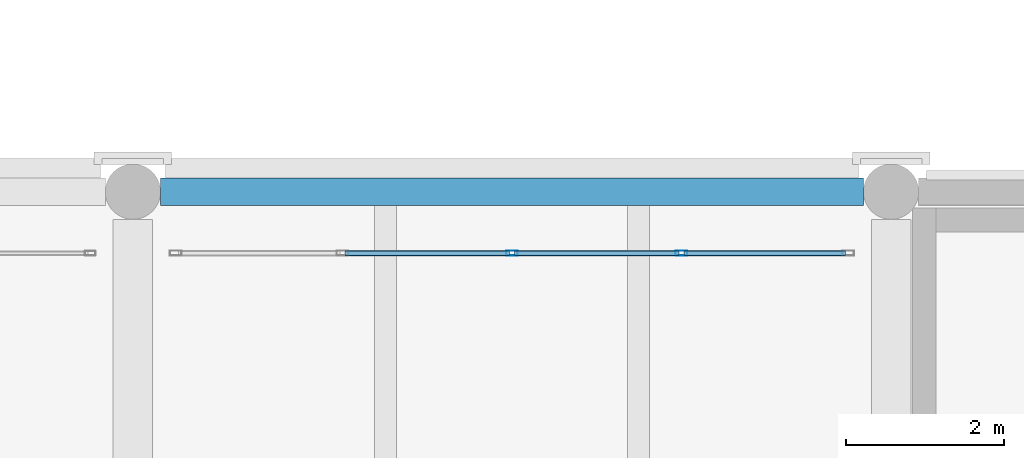
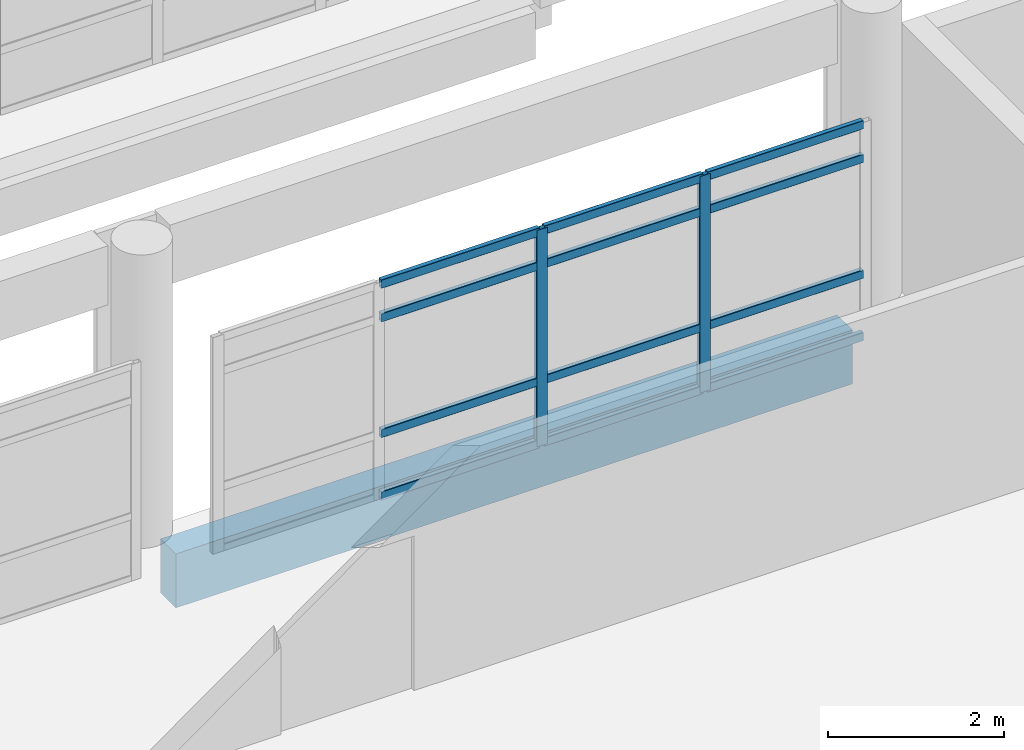
# One storey, part 29 of 180: 14 members, 1 beam, 1 element without a shape of its own.
"""IFC4 building model written with IfcOpenShell, lengths in metres."""

from ifc_helpers import new_model, si_unit, direction, frame, origin, origin_2d, place, context, subcontext, project, spatial, rectangle, hollow_rectangle, extrude, material, layer, layer_set, material_profile, profile_set, type_object, element, aggregate, save


model = new_model("IFC4")

# Units and contexts
model_context = context("Model", 3, precision=1e-05, world=origin(), true_north=direction((0.0, 1.0)))
body_context = subcontext(model_context, "Body", "Model", "MODEL_VIEW")
ifc_project = project(units=[si_unit("LENGTHUNIT", "METRE"), si_unit("AREAUNIT", "SQUARE_METRE"), si_unit("VOLUMEUNIT", "CUBIC_METRE"), si_unit("PLANEANGLEUNIT", "RADIAN"), si_unit("MASSUNIT", "GRAM", prefix="KILO")], contexts=[model_context])

# Site, building, storey
site_placement = place(None, origin())
site = spatial("IfcSite", under=ifc_project, at=site_placement, CompositionType="ELEMENT")
building_placement = place(site_placement, origin())
building = spatial("IfcBuilding", under=site, at=building_placement, Name="Asteropetra Specialist Clinic", CompositionType="ELEMENT")
storey_placement = place(building_placement, frame((0.0, 0.0, 4.419921875)))
storey = spatial("IfcBuildingStorey", under=building, at=storey_placement, Name="L01", CompositionType="ELEMENT", Elevation=4.419921875)

# Curtain wall, members
ifc_material_1 = material(Name="Aluminium and low-E glass", Category="aluminium")
ifc_layer = layer(ifc_material_1, 0.14990234375)
ifc_layer_set = layer_set([ifc_layer], Name="Aluminium and low-E glass")
curtain_wall_type = type_object("IfcCurtainWallType", Name="CW-SYS-11", PredefinedType="USERDEFINED", material=ifc_layer_set)
curtain_wall_placement = place(storey_placement, origin())
curtain_wall = element("IfcCurtainWall", 1, at=curtain_wall_placement, inside=storey, type_object=curtain_wall_type, Name="Curtain Wall CW-139", ObjectType="STICK GLAZED COLONNADE", PredefinedType="USERDEFINED")
ifc_material_2 = material(Name="Aluminium 6063-T6", Category="aluminium")
ifc_material_profile_1 = material_profile(ifc_material_2, hollow_rectangle(XDim=0.06494140625, YDim=0.14990234375, WallThickness=0.00390625, InnerFilletRadius=0.00390625, OuterFilletRadius=0.008056640625, at=origin_2d()), Name="MUL 150x65x4.0")
ifc_profile_set_1 = profile_set([ifc_material_profile_1], Name="Aluminium 6063-T6")
member_type_1 = type_object("IfcMemberType", Name="CWM-150x65", PredefinedType="MULLION", material=ifc_profile_set_1)
member_1_placement = place(storey_placement, frame((45.344970703125, 25.6201171875, 0.0), z_axis=(0.0, 0.0, 1.0), x_axis=(0.0, -1.0, 0.0)))
member_1 = element("IfcMember", 2, at=member_1_placement, type_object=member_type_1, Name="CW-139 mullion 2", PredefinedType="MULLION", context=body_context, shape_type="SweptSolid", body=[
    extrude(hollow_rectangle(XDim=0.06494140625, YDim=0.14990234375, WallThickness=0.00390625, InnerFilletRadius=0.00390625, OuterFilletRadius=0.008056640625, at=origin_2d()), origin(), (0.0, 0.0, 1.0), 3.010009765625),
])
member_2_placement = place(storey_placement, frame((43.199951171875, 25.6201171875, 0.0), z_axis=(0.0, 0.0, 1.0), x_axis=(0.0, -1.0, 0.0)))
member_2 = element("IfcMember", 3, at=member_2_placement, type_object=member_type_1, Name="CW-139 mullion 3", PredefinedType="MULLION", context=body_context, shape_type="SweptSolid", body=[
    extrude(hollow_rectangle(XDim=0.06494140625, YDim=0.14990234375, WallThickness=0.00390625, InnerFilletRadius=0.00390625, OuterFilletRadius=0.008056640625, at=origin_2d()), origin(), (0.0, 0.0, 1.0), 3.010009765625),
])
ifc_material_3 = material(Name="Aluminium 6063-T6", Category="aluminium")
ifc_material_profile_2 = material_profile(ifc_material_3, hollow_rectangle(XDim=0.06494140625, YDim=0.1201171875, WallThickness=0.00390625, InnerFilletRadius=0.00390625, OuterFilletRadius=0.008056640625, at=origin_2d()), Name="TRN 120x65x4.0")
ifc_profile_set_2 = profile_set([ifc_material_profile_2], Name="Aluminium 6063-T6")
member_type_2 = type_object("IfcMemberType", Name="CWT-120x65", PredefinedType="USERDEFINED", material=ifc_profile_set_2)
member_3_placement = place(storey_placement, frame((47.425048828125, 25.6201171875, 0.032470703125), z_axis=(-1.0, 0.0, 0.0), x_axis=(0.0, -1.0, 0.0)))
member_3 = element("IfcMember", 4, at=member_3_placement, type_object=member_type_2, Name="CW-139 transom 1.1", ObjectType="TRANSOM", PredefinedType="USERDEFINED", context=body_context, shape_type="SweptSolid", body=[
    extrude(hollow_rectangle(XDim=0.06494140625, YDim=0.1201171875, WallThickness=0.00390625, InnerFilletRadius=0.00390625, OuterFilletRadius=0.008056640625, at=origin_2d()), origin(), (0.0, 0.0, 1.0), 2.047607421875),
])
member_4_placement = place(storey_placement, frame((47.425048828125, 25.6201171875, 0.900146484375), z_axis=(-1.0, 0.0, 0.0), x_axis=(0.0, -1.0, 0.0)))
member_4 = element("IfcMember", 5, at=member_4_placement, type_object=member_type_2, Name="CW-139 transom 1.2", ObjectType="TRANSOM", PredefinedType="USERDEFINED", context=body_context, shape_type="SweptSolid", body=[
    extrude(hollow_rectangle(XDim=0.06494140625, YDim=0.1201171875, WallThickness=0.00390625, InnerFilletRadius=0.00390625, OuterFilletRadius=0.008056640625, at=origin_2d()), origin(), (0.0, 0.0, 1.0), 2.047607421875),
])
member_5_placement = place(storey_placement, frame((47.425048828125, 25.6201171875, 2.510009765625), z_axis=(-1.0, 0.0, 0.0), x_axis=(0.0, -1.0, 0.0)))
member_5 = element("IfcMember", 6, at=member_5_placement, type_object=member_type_2, Name="CW-139 transom 1.3", ObjectType="TRANSOM", PredefinedType="USERDEFINED", context=body_context, shape_type="SweptSolid", body=[
    extrude(hollow_rectangle(XDim=0.06494140625, YDim=0.1201171875, WallThickness=0.00390625, InnerFilletRadius=0.00390625, OuterFilletRadius=0.008056640625, at=origin_2d()), origin(), (0.0, 0.0, 1.0), 2.047607421875),
])
member_6_placement = place(storey_placement, frame((47.425048828125, 25.6201171875, 2.9775390625), z_axis=(-1.0, 0.0, 0.0), x_axis=(0.0, -1.0, 0.0)))
member_6 = element("IfcMember", 7, at=member_6_placement, type_object=member_type_2, Name="CW-139 transom 1.4", ObjectType="TRANSOM", PredefinedType="USERDEFINED", context=body_context, shape_type="SweptSolid", body=[
    extrude(hollow_rectangle(XDim=0.06494140625, YDim=0.1201171875, WallThickness=0.00390625, InnerFilletRadius=0.00390625, OuterFilletRadius=0.008056640625, at=origin_2d()), origin(), (0.0, 0.0, 1.0), 2.047607421875),
])
member_7_placement = place(storey_placement, frame((45.3125, 25.6201171875, 0.032470703125), z_axis=(-1.0, 0.0, 0.0), x_axis=(0.0, -1.0, 0.0)))
member_7 = element("IfcMember", 8, at=member_7_placement, type_object=member_type_2, Name="CW-139 transom 2.1", ObjectType="TRANSOM", PredefinedType="USERDEFINED", context=body_context, shape_type="SweptSolid", body=[
    extrude(hollow_rectangle(XDim=0.06494140625, YDim=0.1201171875, WallThickness=0.00390625, InnerFilletRadius=0.00390625, OuterFilletRadius=0.008056640625, at=origin_2d()), origin(), (0.0, 0.0, 1.0), 2.080078125),
])
member_8_placement = place(storey_placement, frame((45.3125, 25.6201171875, 0.900146484375), z_axis=(-1.0, 0.0, 0.0), x_axis=(0.0, -1.0, 0.0)))
member_8 = element("IfcMember", 9, at=member_8_placement, type_object=member_type_2, Name="CW-139 transom 2.2", ObjectType="TRANSOM", PredefinedType="USERDEFINED", context=body_context, shape_type="SweptSolid", body=[
    extrude(hollow_rectangle(XDim=0.06494140625, YDim=0.1201171875, WallThickness=0.00390625, InnerFilletRadius=0.00390625, OuterFilletRadius=0.008056640625, at=origin_2d()), origin(), (0.0, 0.0, 1.0), 2.080078125),
])
member_9_placement = place(storey_placement, frame((45.3125, 25.6201171875, 2.510009765625), z_axis=(-1.0, 0.0, 0.0), x_axis=(0.0, -1.0, 0.0)))
member_9 = element("IfcMember", 10, at=member_9_placement, type_object=member_type_2, Name="CW-139 transom 2.3", ObjectType="TRANSOM", PredefinedType="USERDEFINED", context=body_context, shape_type="SweptSolid", body=[
    extrude(hollow_rectangle(XDim=0.06494140625, YDim=0.1201171875, WallThickness=0.00390625, InnerFilletRadius=0.00390625, OuterFilletRadius=0.008056640625, at=origin_2d()), origin(), (0.0, 0.0, 1.0), 2.080078125),
])
member_10_placement = place(storey_placement, frame((45.3125, 25.6201171875, 2.9775390625), z_axis=(-1.0, 0.0, 0.0), x_axis=(0.0, -1.0, 0.0)))
member_10 = element("IfcMember", 11, at=member_10_placement, type_object=member_type_2, Name="CW-139 transom 2.4", ObjectType="TRANSOM", PredefinedType="USERDEFINED", context=body_context, shape_type="SweptSolid", body=[
    extrude(hollow_rectangle(XDim=0.06494140625, YDim=0.1201171875, WallThickness=0.00390625, InnerFilletRadius=0.00390625, OuterFilletRadius=0.008056640625, at=origin_2d()), origin(), (0.0, 0.0, 1.0), 2.080078125),
])
member_11_placement = place(storey_placement, frame((43.16748046875, 25.6201171875, 0.032470703125), z_axis=(-1.0, 0.0, 0.0), x_axis=(0.0, -1.0, 0.0)))
member_11 = element("IfcMember", 12, at=member_11_placement, type_object=member_type_2, Name="CW-139 transom 3.1", ObjectType="TRANSOM", PredefinedType="USERDEFINED", context=body_context, shape_type="SweptSolid", body=[
    extrude(hollow_rectangle(XDim=0.06494140625, YDim=0.1201171875, WallThickness=0.00390625, InnerFilletRadius=0.00390625, OuterFilletRadius=0.008056640625, at=origin_2d()), origin(), (0.0, 0.0, 1.0), 2.080078125),
])
member_12_placement = place(storey_placement, frame((43.16748046875, 25.6201171875, 0.900146484375), z_axis=(-1.0, 0.0, 0.0), x_axis=(0.0, -1.0, 0.0)))
member_12 = element("IfcMember", 13, at=member_12_placement, type_object=member_type_2, Name="CW-139 transom 3.2", ObjectType="TRANSOM", PredefinedType="USERDEFINED", context=body_context, shape_type="SweptSolid", body=[
    extrude(hollow_rectangle(XDim=0.06494140625, YDim=0.1201171875, WallThickness=0.00390625, InnerFilletRadius=0.00390625, OuterFilletRadius=0.008056640625, at=origin_2d()), origin(), (0.0, 0.0, 1.0), 2.080078125),
])
member_13_placement = place(storey_placement, frame((43.16748046875, 25.6201171875, 2.510009765625), z_axis=(-1.0, 0.0, 0.0), x_axis=(0.0, -1.0, 0.0)))
member_13 = element("IfcMember", 14, at=member_13_placement, type_object=member_type_2, Name="CW-139 transom 3.3", ObjectType="TRANSOM", PredefinedType="USERDEFINED", context=body_context, shape_type="SweptSolid", body=[
    extrude(hollow_rectangle(XDim=0.06494140625, YDim=0.1201171875, WallThickness=0.00390625, InnerFilletRadius=0.00390625, OuterFilletRadius=0.008056640625, at=origin_2d()), origin(), (0.0, 0.0, 1.0), 2.080078125),
])
member_14_placement = place(storey_placement, frame((43.16748046875, 25.6201171875, 2.9775390625), z_axis=(-1.0, 0.0, 0.0), x_axis=(0.0, -1.0, 0.0)))
member_14 = element("IfcMember", 15, at=member_14_placement, type_object=member_type_2, Name="CW-139 transom 3.4", ObjectType="TRANSOM", PredefinedType="USERDEFINED", context=body_context, shape_type="SweptSolid", body=[
    extrude(hollow_rectangle(XDim=0.06494140625, YDim=0.1201171875, WallThickness=0.00390625, InnerFilletRadius=0.00390625, OuterFilletRadius=0.008056640625, at=origin_2d()), origin(), (0.0, 0.0, 1.0), 2.080078125),
])
aggregate(curtain_wall, [member_1, member_2, member_3, member_4, member_5, member_6, member_7, member_8, member_9, member_10, member_11, member_12, member_13, member_14])

# Beam
ifc_material_4 = material(Name="Concrete C35/45", Category="concrete")
ifc_material_profile_3 = material_profile(ifc_material_4, rectangle(XDim=0.35009765625, YDim=0.75, at=origin_2d()), Name="RCS 350x750")
ifc_profile_set_3 = profile_set([ifc_material_profile_3], Name="Concrete C35/45")
beam_type = type_object("IfcBeamType", Name="SPN-RC350x750", PredefinedType="SPANDREL", material=ifc_profile_set_3)
beam_placement = place(storey_placement, frame((38.75, 26.39990234375, -0.71484375), z_axis=(1.0, 0.0, 0.0), x_axis=(0.0, 1.0, 0.0)))
element("IfcBeam", 16, at=beam_placement, inside=storey, type_object=beam_type, Name="Beam BSPN01-0250", PredefinedType="SPANDREL", context=body_context, shape_type="SweptSolid", body=[
    extrude(rectangle(XDim=0.35009765625, YDim=0.75, at=origin_2d()), origin(), (0.0, 0.0, 1.0), 8.89990234375),
])

save(model, "model.ifc")
